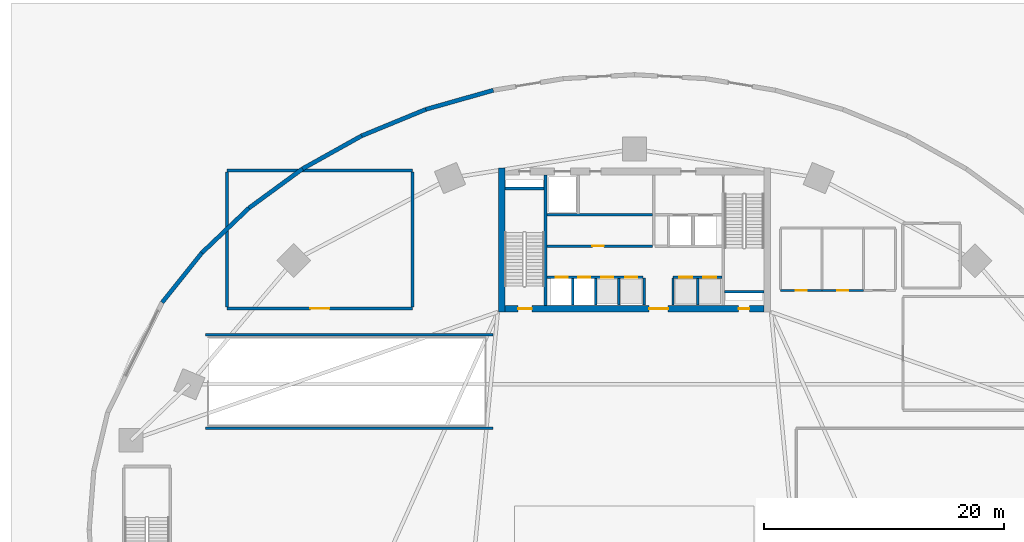
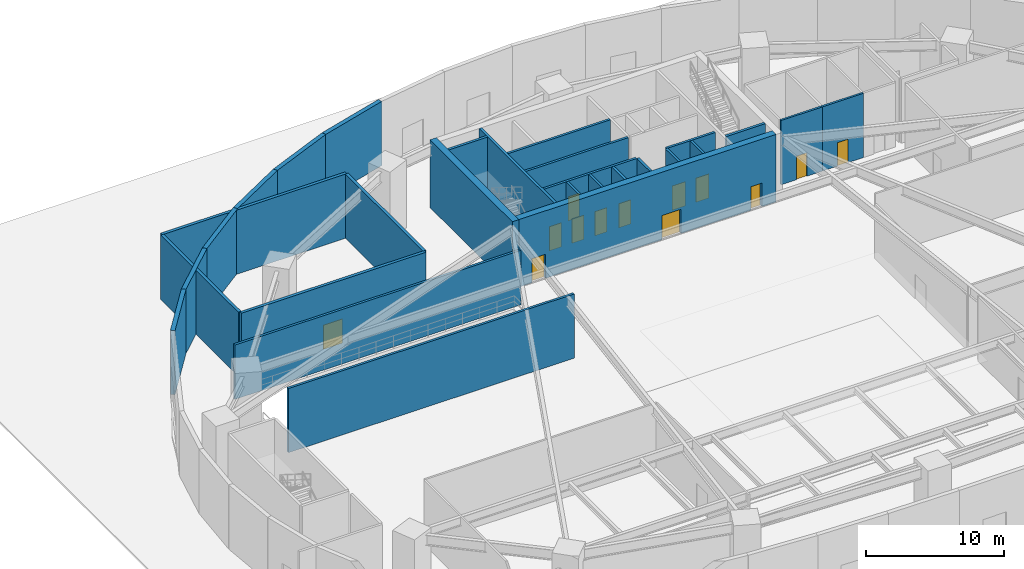
# One storey, part 4 of 14: 29 walls, 13 doors, 13 openings.
"""IFC4 building model written with IfcOpenShell, lengths in metres."""

from ifc_helpers import new_model, si_unit, direction, frame, frame_2d, origin, place, context, subcontext, project, spatial, rectangle, extrude, source, transform, mapped, material, layer, layer_set, type_object, type_shapes, element, fill, save


model = new_model("IFC4")

# Units and contexts
model_context = context("Model", 3, precision=1e-05, world=origin(), true_north=direction((0.0, 1.0)))
body_context = subcontext(model_context, "Body", "Model", "MODEL_VIEW")
ifc_project = project(units=[si_unit("LENGTHUNIT", "METRE"), si_unit("AREAUNIT", "SQUARE_METRE"), si_unit("VOLUMEUNIT", "CUBIC_METRE"), si_unit("PLANEANGLEUNIT", "RADIAN"), si_unit("MASSUNIT", "GRAM", prefix="KILO")], contexts=[model_context])

# Site, building, storey
site_placement = place(None, origin())
site = spatial("IfcSite", under=ifc_project, at=site_placement, CompositionType="ELEMENT")
building_placement = place(site_placement, origin())
building = spatial("IfcBuilding", under=site, at=building_placement, Name="Breltana Convention Tower", CompositionType="ELEMENT")
storey_placement = place(building_placement, origin())
storey = spatial("IfcBuildingStorey", under=building, at=storey_placement, Name="L00", CompositionType="ELEMENT", Elevation=0.0)

# Wall
ifc_material_1 = material(Name="Concrete C60/75", Category="concrete")
ifc_layer_1 = layer(ifc_material_1, 0.550048828125, Name="Concrete C60/75")
ifc_layer_set_1 = layer_set([ifc_layer_1], Name="Concrete C60/75")
wall_type_1 = type_object("IfcWallType", Name="SW-CORE-550", PredefinedType="SHEAR", material=ifc_layer_set_1)
shared_shape_1 = source(origin(), body_context, "Body", "SweptSolid", [
    extrude(rectangle(XDim=12.0, YDim=0.550048828125, at=frame_2d((6.0, 0.0))), origin(), (0.0, 0.0, 1.0), 6.0),
])
wall_1_placement = place(storey_placement, frame((36.925048828125, 60.199951171875, 0.0), z_axis=(0.0, 0.0, 1.0), x_axis=(0.0, 1.0, 0.0)))
element("IfcWall", 1, at=wall_1_placement, inside=storey, type_object=wall_type_1, Name="L00 West Core Shear Wall", PredefinedType="SHEAR", context=body_context, shape_type="MappedRepresentation", body=[
    mapped(shared_shape_1, transform((0.0, 0.0, 0.0), scale=1.0)),
])

# Wall, openings, doors
shared_shape_2 = source(origin(), body_context, "Body", "SweptSolid", [
    extrude(rectangle(XDim=21.60009765625, YDim=0.550048828125, at=frame_2d((10.800048828125, 0.0))), origin(), (0.0, 0.0, 1.0), 6.0),
])
wall_2_placement = place(storey_placement, frame((37.199951171875, 60.47509765625, 0.0), z_axis=(0.0, 0.0, 1.0), x_axis=(1.0, 0.0, 0.0)))
wall_2 = element("IfcWall", 2, at=wall_2_placement, inside=storey, type_object=wall_type_1, Name="L00 South Core Shear Wall", PredefinedType="SHEAR", context=body_context, shape_type="MappedRepresentation", body=[
    mapped(shared_shape_2, transform((0.0, 0.0, 0.0), scale=1.0)),
])
opening_1_placement = place(wall_2_placement, frame((1.10009765625, 0.0, 0.0)))
opening_1 = element("IfcOpeningElement", 3, at=opening_1_placement, cuts=wall_2, Name="Opening D-11", PredefinedType="OPENING", context=body_context, shape_type="SweptSolid", body=[
    extrude(rectangle(XDim=1.14990234375, YDim=2.14990234375, at=frame_2d((0.574951171875, 1.074951171875))), frame((0.0, 0.28515625, 0.0), z_axis=(0.0, -1.0, 0.0), x_axis=(1.0, 0.0, 0.0)), (0.0, 0.0, 1.0), 0.570068359375),
])
opening_2_placement = place(wall_2_placement, frame((19.5, 0.0, 0.0)))
opening_2 = element("IfcOpeningElement", 4, at=opening_2_placement, cuts=wall_2, Name="Opening D-18", PredefinedType="OPENING", context=body_context, shape_type="SweptSolid", body=[
    extrude(rectangle(XDim=0.89990234375, YDim=2.10009765625, at=frame_2d((0.449951171875, 1.050048828125))), frame((0.0, 0.28515625, 0.0), z_axis=(0.0, -1.0, 0.0), x_axis=(1.0, 0.0, 0.0)), (0.0, 0.0, 1.0), 0.570068359375),
])
opening_3_placement = place(wall_2_placement, frame((12.02001953125, 0.0, 0.0)))
opening_3 = element("IfcOpeningElement", 5, at=opening_3_placement, cuts=wall_2, Name="Opening D-02", PredefinedType="OPENING", context=body_context, shape_type="SweptSolid", body=[
    extrude(rectangle(XDim=1.60009765625, YDim=2.14990234375, at=frame_2d((0.800048828125, 1.074951171875))), frame((0.0, 0.28515625, 0.0), z_axis=(0.0, -1.0, 0.0), x_axis=(1.0, 0.0, 0.0)), (0.0, 0.0, 1.0), 0.570068359375),
])
ifc_material_2 = material(Name="Steel Stair Exit Door", Category="steel")
door_type_1 = type_object("IfcDoorType", Name="DR-FD120-1150", OperationType="NOTDEFINED", PredefinedType="DOOR", material=ifc_material_2)
shared_shape_3 = source(origin(), body_context, "Body", "SweptSolid", [
    extrude(rectangle(XDim=1.14990234375, YDim=2.14990234375, at=frame_2d((0.574951171875, 1.074951171875))), frame((0.0, 0.02490234375, 0.0), z_axis=(0.0, -1.0, 0.0), x_axis=(1.0, 0.0, 0.0)), (0.0, 0.0, 1.0), 0.050048828125),
])
type_shapes(door_type_1, [shared_shape_3])
door_1_placement = place(opening_1_placement, origin())
door_1 = element("IfcDoor", 6, at=door_1_placement, inside=storey, type_object=door_type_1, Name="L00 interior door D-L00-ST1", OperationType="SINGLE_SWING_RIGHT", OverallHeight=2.14990234375, OverallWidth=1.14990234375, PredefinedType="DOOR", context=body_context, shape_type="MappedRepresentation", body=[
    mapped(shared_shape_3, transform((0.0, 0.0, 0.0), scale=1.0)),
])
fill(opening_1, door_1)
ifc_material_3 = material(Name="Steel Riser Fire Door", Category="steel")
door_type_2 = type_object("IfcDoorType", Name="DR-FD60-900", OperationType="NOTDEFINED", PredefinedType="DOOR", material=ifc_material_3)
shared_shape_4 = source(origin(), body_context, "Body", "SweptSolid", [
    extrude(rectangle(XDim=0.89990234375, YDim=2.10009765625, at=frame_2d((0.449951171875, 1.050048828125))), frame((0.0, 0.02490234375, 0.0), z_axis=(0.0, -1.0, 0.0), x_axis=(1.0, 0.0, 0.0)), (0.0, 0.0, 1.0), 0.050048828125),
])
type_shapes(door_type_2, [shared_shape_4])
door_2_placement = place(opening_2_placement, origin())
door_2 = element("IfcDoor", 7, at=door_2_placement, inside=storey, type_object=door_type_2, Name="L00 Core Riser Access Door D-L00-RS2", OperationType="SINGLE_SWING_RIGHT", OverallHeight=2.10009765625, OverallWidth=0.89990234375, PredefinedType="DOOR", context=body_context, shape_type="MappedRepresentation", body=[
    mapped(shared_shape_4, transform((0.0, 0.0, 0.0), scale=1.0)),
])
fill(opening_2, door_2)
ifc_material_4 = material(Name="Steel Glazed Smoke-Control Door", Category="steel")
door_type_3 = type_object("IfcDoorType", Name="DR-DBL-FD90-1600", OperationType="DOUBLE_DOOR_SINGLE_SWING", PredefinedType="DOOR", material=ifc_material_4)
shared_shape_5 = source(origin(), body_context, "Body", "SweptSolid", [
    extrude(rectangle(XDim=1.60009765625, YDim=2.14990234375, at=frame_2d((0.800048828125, 1.074951171875))), frame((0.0, 0.02490234375, 0.0), z_axis=(0.0, -1.0, 0.0), x_axis=(1.0, 0.0, 0.0)), (0.0, 0.0, 1.0), 0.050048828125),
])
type_shapes(door_type_3, [shared_shape_5])
door_3_placement = place(opening_3_placement, origin())
door_3 = element("IfcDoor", 8, at=door_3_placement, inside=storey, type_object=door_type_3, Name="L00 interior door D-L00-LLB-S", OperationType="DOUBLE_DOOR_SINGLE_SWING", OverallHeight=2.14990234375, OverallWidth=1.60009765625, PredefinedType="DOOR", context=body_context, shape_type="MappedRepresentation", body=[
    mapped(shared_shape_5, transform((0.0, 0.0, 0.0), scale=1.0)),
])
fill(opening_3, door_3)

# Walls
ifc_material_5 = material(Name="Concrete C50/60", Category="concrete")
ifc_layer_2 = layer(ifc_material_5, 0.39990234375, Name="Concrete C50/60")
ifc_layer_set_2 = layer_set([ifc_layer_2], Name="Concrete C50/60")
wall_type_2 = type_object("IfcWallType", Name="SW-CORE-400", PredefinedType="SHEAR", material=ifc_layer_set_2)
shared_shape_6 = source(origin(), body_context, "Body", "SweptSolid", [
    extrude(rectangle(XDim=3.27001953125, YDim=0.219970703125, at=frame_2d((1.635009765625, 0.0))), origin(), (0.0, 0.0, 1.0), 6.0),
])
for number, where, z_axis, x_axis, name in (
    (9, (37.199951171875, 70.510009765625, 0.0), (0.0, 0.0, 1.0), (1.0, 0.0, 0.0), "L00 ST-1 Stairwell North Bearing Wall"),
    (10, (55.530029296875, 61.889892578125, 0.0), (0.0, 0.0, 1.0), (1.0, 0.0, 0.0), "L00 ST-2 Stairwell South Bearing Wall"),
):
    element("IfcWall", number, at=place(storey_placement, frame(where, z_axis=z_axis, x_axis=x_axis)), inside=storey, type_object=wall_type_2, Name=name, PredefinedType="SHEAR", context=body_context, shape_type="MappedRepresentation", body=[
        mapped(shared_shape_6, transform((0.0, 0.0, 0.0), scale=1.0)),
    ])
shared_shape_7 = source(origin(), body_context, "Body", "SweptSolid", [
    extrude(rectangle(XDim=10.89990234375, YDim=0.219970703125, at=frame_2d((5.449951171875, 0.0))), origin(), (0.0, 0.0, 1.0), 6.0),
])
wall_3_placement = place(storey_placement, frame((40.580078125, 60.75, 0.0), z_axis=(0.0, 0.0, 1.0), x_axis=(0.0, 1.0, 0.0)))
element("IfcWall", 11, at=wall_3_placement, inside=storey, type_object=wall_type_2, Name="L00 Core West Stair Spine Wall", PredefinedType="SHEAR", context=body_context, shape_type="MappedRepresentation", body=[
    mapped(shared_shape_7, transform((0.0, 0.0, 0.0), scale=1.0)),
])
ifc_material_6 = material(Name="Limestone Buff Insulated Wall", Category="masonry")
ifc_layer_3 = layer(ifc_material_6, 0.35009765625, Name="Limestone Buff Insulated Wall")
ifc_layer_set_3 = layer_set([ifc_layer_3], Name="Limestone Buff Insulated Wall")
wall_type_3 = type_object("IfcWallType", Name="WL-EXT-POD-350", PredefinedType="SOLIDWALL", material=ifc_layer_set_3)
shared_shape_8 = source(origin(), body_context, "Body", "SweptSolid", [
    extrude(rectangle(XDim=5.292724609375, YDim=0.35009765625, at=frame_2d((2.646484375, 0.0))), origin(), (0.0, 0.0, 1.0), 5.699951171875),
])
wall_4_placement = place(storey_placement, frame((8.595703125, 61.0, 0.0), z_axis=(0.0, 0.0, 1.0), x_axis=(0.624740048177, 0.780832806818, 0.0)))
element("IfcWall", 12, at=wall_4_placement, inside=storey, type_object=wall_type_3, Name="L00 limestone facade wall 20", PredefinedType="SOLIDWALL", context=body_context, shape_type="MappedRepresentation", body=[
    mapped(shared_shape_8, transform((0.0, 0.0, 0.0), scale=1.0)),
])
shared_shape_9 = source(origin(), body_context, "Body", "SweptSolid", [
    extrude(rectangle(XDim=5.419189453125, YDim=0.35009765625, at=frame_2d((2.70947265625, 0.0))), origin(), (0.0, 0.0, 1.0), 5.699951171875),
])
wall_5_placement = place(storey_placement, frame((11.90234375, 65.1328125, 0.0), z_axis=(0.0, 0.0, 1.0), x_axis=(0.724150787336, 0.689641673046, 0.0)))
element("IfcWall", 13, at=wall_5_placement, inside=storey, type_object=wall_type_3, Name="L00 limestone facade wall 19", PredefinedType="SOLIDWALL", context=body_context, shape_type="MappedRepresentation", body=[
    mapped(shared_shape_9, transform((0.0, 0.0, 0.0), scale=1.0)),
])
shared_shape_10 = source(origin(), body_context, "Body", "SweptSolid", [
    extrude(rectangle(XDim=5.546630859375, YDim=0.35009765625, at=frame_2d((2.7734375, 0.0))), origin(), (0.0, 0.0, 1.0), 5.699951171875),
])
wall_6_placement = place(storey_placement, frame((15.82666015625, 68.8701171875, 0.0), z_axis=(0.0, 0.0, 1.0), x_axis=(0.806767275837, 0.590869327887, 0.0)))
element("IfcWall", 14, at=wall_6_placement, inside=storey, type_object=wall_type_3, Name="L00 limestone facade wall 18", PredefinedType="SOLIDWALL", context=body_context, shape_type="MappedRepresentation", body=[
    mapped(shared_shape_10, transform((0.0, 0.0, 0.0), scale=1.0)),
])
shared_shape_11 = source(origin(), body_context, "Body", "SweptSolid", [
    extrude(rectangle(XDim=5.666748046875, YDim=0.35009765625, at=frame_2d((2.83349609375, 0.0))), origin(), (0.0, 0.0, 1.0), 5.699951171875),
])
wall_7_placement = place(storey_placement, frame((20.301513671875, 72.1474609375, 0.0), z_axis=(0.0, 0.0, 1.0), x_axis=(0.873233089296, 0.487302751642, 0.0)))
element("IfcWall", 15, at=wall_7_placement, inside=storey, type_object=wall_type_3, Name="L00 limestone facade wall 17", PredefinedType="SOLIDWALL", context=body_context, shape_type="MappedRepresentation", body=[
    mapped(shared_shape_11, transform((0.0, 0.0, 0.0), scale=1.0)),
])
shared_shape_12 = source(origin(), body_context, "Body", "SweptSolid", [
    extrude(rectangle(XDim=5.77294921875, YDim=0.35009765625, at=frame_2d((2.886474609375, 0.0))), origin(), (0.0, 0.0, 1.0), 5.699951171875),
])
wall_8_placement = place(storey_placement, frame((25.25, 74.908935546875, 0.0), z_axis=(0.0, 0.0, 1.0), x_axis=(0.924645688874, 0.380828504771, 0.0)))
element("IfcWall", 16, at=wall_8_placement, inside=storey, type_object=wall_type_3, Name="L00 limestone facade wall 16", PredefinedType="SOLIDWALL", context=body_context, shape_type="MappedRepresentation", body=[
    mapped(shared_shape_12, transform((0.0, 0.0, 0.0), scale=1.0)),
])
shared_shape_13 = source(origin(), body_context, "Body", "SweptSolid", [
    extrude(rectangle(XDim=5.85791015625, YDim=0.35009765625, at=frame_2d((2.928955078125, 0.0))), origin(), (0.0, 0.0, 1.0), 5.699951171875),
])
wall_9_placement = place(storey_placement, frame((30.587890625, 77.107421875, 0.0), z_axis=(0.0, 0.0, 1.0), x_axis=(0.962088093248, 0.272738887637, 0.0)))
element("IfcWall", 17, at=wall_9_placement, inside=storey, type_object=wall_type_3, Name="L00 limestone facade wall 15", PredefinedType="SOLIDWALL", context=body_context, shape_type="MappedRepresentation", body=[
    mapped(shared_shape_13, transform((0.0, 0.0, 0.0), scale=1.0)),
])
ifc_material_7 = material(Name="Autoclaved Aerated Concrete Block", Category="concrete")
ifc_layer_4 = layer(ifc_material_7, 0.199951171875, Name="Autoclaved Aerated Concrete Block")
ifc_layer_set_4 = layer_set([ifc_layer_4], Name="Autoclaved Aerated Concrete Block")
wall_type_4 = type_object("IfcWallType", Name="WL-SHAFT-200", PredefinedType="SOLIDWALL", material=ifc_layer_set_4)
shared_shape_14 = source(origin(), body_context, "Body", "SweptSolid", [
    extrude(rectangle(XDim=2.239990234375, YDim=0.199951171875, at=frame_2d((1.1201171875, 0.0))), origin(), (0.0, 0.0, 1.0), 5.699951171875),
])
for number, where, z_axis, x_axis, name in (
    (18, (48.820068359375, 60.780029296875, 0.0), (0.0, 0.0, 1.0), (0.0, 1.0, 0.0), "L00 interior partition W-L00-PORT-W"),
    (19, (51.219970703125, 60.780029296875, 0.0), (0.0, 0.0, 1.0), (0.0, 1.0, 0.0), "L00 interior partition W-L00-PORT-E"),
):
    element("IfcWall", number, at=place(storey_placement, frame(where, z_axis=z_axis, x_axis=x_axis)), inside=storey, type_object=wall_type_4, Name=name, PredefinedType="SOLIDWALL", context=body_context, shape_type="MappedRepresentation", body=[
        mapped(shared_shape_14, transform((0.0, 0.0, 0.0), scale=1.0)),
    ])
shared_shape_15 = source(origin(), body_context, "Body", "SweptSolid", [
    extrude(rectangle(XDim=8.800048828125, YDim=0.199951171875, at=frame_2d((4.39990234375, 0.0))), origin(), (0.0, 0.0, 1.0), 5.699951171875),
])
wall_10_placement = place(storey_placement, frame((40.699951171875, 68.300048828125, 0.0), z_axis=(0.0, 0.0, 1.0), x_axis=(1.0, 0.0, 0.0)))
element("IfcWall", 20, at=wall_10_placement, inside=storey, type_object=wall_type_4, Name="L00 interior partition W-L00-SV-S", PredefinedType="SOLIDWALL", context=body_context, shape_type="MappedRepresentation", body=[
    mapped(shared_shape_15, transform((0.0, 0.0, 0.0), scale=1.0)),
])

# Wall, opening, door
wall_11_placement = place(storey_placement, frame((40.699951171875, 65.699951171875, 0.0), z_axis=(0.0, 0.0, 1.0), x_axis=(1.0, 0.0, 0.0)))
wall_11 = element("IfcWall", 21, at=wall_11_placement, inside=storey, type_object=wall_type_4, Name="L00 interior partition W-L00-SH-M-FRONT", PredefinedType="SOLIDWALL", context=body_context, shape_type="MappedRepresentation", body=[
    mapped(shared_shape_15, transform((0.0, 0.0, 0.0), scale=1.0)),
])
opening_4_placement = place(wall_11_placement, frame((3.800048828125, 0.0, 0.0)))
opening_4 = element("IfcOpeningElement", 22, at=opening_4_placement, cuts=wall_11, Name="Opening D-14", PredefinedType="OPENING", context=body_context, shape_type="SweptSolid", body=[
    extrude(rectangle(XDim=0.949951171875, YDim=2.14990234375, at=frame_2d((0.47509765625, 1.074951171875))), frame((0.0, 0.10986328125, 0.0), z_axis=(0.0, -1.0, 0.0), x_axis=(1.0, 0.0, 0.0)), (0.0, 0.0, 1.0), 0.219970703125),
])
ifc_material_8 = material(Name="Timber Solid-Core Fire Door", Category="wood")
door_type_4 = type_object("IfcDoorType", Name="DR-FD60-950", OperationType="NOTDEFINED", PredefinedType="DOOR", material=ifc_material_8)
shared_shape_16 = source(origin(), body_context, "Body", "SweptSolid", [
    extrude(rectangle(XDim=0.949951171875, YDim=2.14990234375, at=frame_2d((0.47509765625, 1.074951171875))), frame((0.0, 0.02490234375, 0.0), z_axis=(0.0, -1.0, 0.0), x_axis=(1.0, 0.0, 0.0)), (0.0, 0.0, 1.0), 0.050048828125),
])
type_shapes(door_type_4, [shared_shape_16])
door_4_placement = place(opening_4_placement, origin())
door_4 = element("IfcDoor", 23, at=door_4_placement, inside=storey, type_object=door_type_4, Name="L00 interior door D-L00-LV7-B2A", OperationType="SINGLE_SWING_LEFT", OverallHeight=2.14990234375, OverallWidth=0.949951171875, PredefinedType="DOOR", context=body_context, shape_type="MappedRepresentation", body=[
    mapped(shared_shape_16, transform((0.0, 0.0, 0.0), scale=1.0)),
])
fill(opening_4, door_4)

# Wall, openings, doors
shared_shape_17 = source(origin(), body_context, "Body", "SweptSolid", [
    extrude(rectangle(XDim=8.02001953125, YDim=0.199951171875, at=frame_2d((4.010009765625, 0.0))), origin(), (0.0, 0.0, 1.0), 5.699951171875),
])
wall_12_placement = place(storey_placement, frame((40.699951171875, 63.10009765625, 0.0), z_axis=(0.0, 0.0, 1.0), x_axis=(1.0, 0.0, 0.0)))
wall_12 = element("IfcWall", 24, at=wall_12_placement, inside=storey, type_object=wall_type_4, Name="L00 interior partition W-L00-SH-S-FRONT", PredefinedType="SOLIDWALL", context=body_context, shape_type="MappedRepresentation", body=[
    mapped(shared_shape_17, transform((0.0, 0.0, 0.0), scale=1.0)),
])
opening_5_placement = place(wall_12_placement, frame((0.719970703125, 0.0, 0.0)))
opening_5 = element("IfcOpeningElement", 25, at=opening_5_placement, cuts=wall_12, Name="Opening LD-04", PredefinedType="OPENING", context=body_context, shape_type="SweptSolid", body=[
    extrude(rectangle(XDim=1.0, YDim=2.14990234375, at=frame_2d((0.5, 1.074951171875))), frame((0.0, 0.10986328125, 0.0), z_axis=(0.0, -1.0, 0.0), x_axis=(1.0, 0.0, 0.0)), (0.0, 0.0, 1.0), 0.219970703125),
])
opening_6_placement = place(wall_12_placement, frame((2.6201171875, 0.0, 0.0)))
opening_6 = element("IfcOpeningElement", 26, at=opening_6_placement, cuts=wall_12, Name="Opening LD-04", PredefinedType="OPENING", context=body_context, shape_type="SweptSolid", body=[
    extrude(rectangle(XDim=1.0, YDim=2.14990234375, at=frame_2d((0.5, 1.074951171875))), frame((0.0, 0.10986328125, 0.0), z_axis=(0.0, -1.0, 0.0), x_axis=(1.0, 0.0, 0.0)), (0.0, 0.0, 1.0), 0.219970703125),
])
opening_7_placement = place(wall_12_placement, frame((4.550048828125, 0.0, 0.0)))
opening_7 = element("IfcOpeningElement", 27, at=opening_7_placement, cuts=wall_12, Name="Opening LD-04", PredefinedType="OPENING", context=body_context, shape_type="SweptSolid", body=[
    extrude(rectangle(XDim=1.0, YDim=2.14990234375, at=frame_2d((0.5, 1.074951171875))), frame((0.0, 0.10986328125, 0.0), z_axis=(0.0, -1.0, 0.0), x_axis=(1.0, 0.0, 0.0)), (0.0, 0.0, 1.0), 0.219970703125),
])
opening_8_placement = place(wall_12_placement, frame((6.550048828125, 0.0, 0.0)))
opening_8 = element("IfcOpeningElement", 28, at=opening_8_placement, cuts=wall_12, Name="Opening LD-04", PredefinedType="OPENING", context=body_context, shape_type="SweptSolid", body=[
    extrude(rectangle(XDim=1.0, YDim=2.14990234375, at=frame_2d((0.5, 1.074951171875))), frame((0.0, 0.10986328125, 0.0), z_axis=(0.0, -1.0, 0.0), x_axis=(1.0, 0.0, 0.0)), (0.0, 0.0, 1.0), 0.219970703125),
])
ifc_material_9 = material(Name="Stainless Steel Brushed", Category="steel")
door_type_5 = type_object("IfcDoorType", Name="DR-LD-PAX-1000", OperationType="DOUBLE_DOOR_SLIDING", PredefinedType="DOOR", material=ifc_material_9)
shared_shape_18 = source(origin(), body_context, "Body", "SweptSolid", [
    extrude(rectangle(XDim=1.0, YDim=2.14990234375, at=frame_2d((0.5, 1.074951171875))), frame((0.0, 0.02490234375, 0.0), z_axis=(0.0, -1.0, 0.0), x_axis=(1.0, 0.0, 0.0)), (0.0, 0.0, 1.0), 0.050048828125),
])
type_shapes(door_type_5, [shared_shape_18])
door_5_placement = place(opening_5_placement, origin())
door_5 = element("IfcDoor", 29, at=door_5_placement, inside=storey, type_object=door_type_5, Name="L00 Lift Landing Door D-L00-LD-S1", OperationType="DOUBLE_DOOR_SLIDING", OverallHeight=2.14990234375, OverallWidth=1.0, PredefinedType="DOOR", context=body_context, shape_type="MappedRepresentation", body=[
    mapped(shared_shape_18, transform((0.0, 0.0, 0.0), scale=1.0)),
])
fill(opening_5, door_5)
door_6_placement = place(opening_6_placement, origin())
door_6 = element("IfcDoor", 30, at=door_6_placement, inside=storey, type_object=door_type_5, Name="L00 Lift Landing Door D-L00-LD-S2", OperationType="DOUBLE_DOOR_SLIDING", OverallHeight=2.14990234375, OverallWidth=1.0, PredefinedType="DOOR", context=body_context, shape_type="MappedRepresentation", body=[
    mapped(shared_shape_18, transform((0.0, 0.0, 0.0), scale=1.0)),
])
fill(opening_6, door_6)
door_7_placement = place(opening_7_placement, origin())
door_7 = element("IfcDoor", 31, at=door_7_placement, inside=storey, type_object=door_type_5, Name="L00 Lift Landing Door D-L00-LD-S3", OperationType="DOUBLE_DOOR_SLIDING", OverallHeight=2.14990234375, OverallWidth=1.0, PredefinedType="DOOR", context=body_context, shape_type="MappedRepresentation", body=[
    mapped(shared_shape_18, transform((0.0, 0.0, 0.0), scale=1.0)),
])
fill(opening_7, door_7)
door_8_placement = place(opening_8_placement, origin())
door_8 = element("IfcDoor", 32, at=door_8_placement, inside=storey, type_object=door_type_5, Name="L00 Lift Landing Door D-L00-LD-S4", OperationType="DOUBLE_DOOR_SLIDING", OverallHeight=2.14990234375, OverallWidth=1.0, PredefinedType="DOOR", context=body_context, shape_type="MappedRepresentation", body=[
    mapped(shared_shape_18, transform((0.0, 0.0, 0.0), scale=1.0)),
])
fill(opening_8, door_8)

shared_shape_19 = source(origin(), body_context, "Body", "SweptSolid", [
    extrude(rectangle(XDim=4.10009765625, YDim=0.199951171875, at=frame_2d((2.050048828125, 0.0))), origin(), (0.0, 0.0, 1.0), 5.699951171875),
])
wall_13_placement = place(storey_placement, frame((51.219970703125, 63.10009765625, 0.0), z_axis=(0.0, 0.0, 1.0), x_axis=(1.0, 0.0, 0.0)))
wall_13 = element("IfcWall", 33, at=wall_13_placement, inside=storey, type_object=wall_type_4, Name="L00 interior partition W-L00-SH-X-FRONT", PredefinedType="SOLIDWALL", context=body_context, shape_type="MappedRepresentation", body=[
    mapped(shared_shape_19, transform((0.0, 0.0, 0.0), scale=1.0)),
])
opening_9_placement = place(wall_13_placement, frame((0.510009765625, 0.0, 0.0)))
opening_9 = element("IfcOpeningElement", 34, at=opening_9_placement, cuts=wall_13, Name="Opening LD-02", PredefinedType="OPENING", context=body_context, shape_type="SweptSolid", body=[
    extrude(rectangle(XDim=1.10009765625, YDim=2.14990234375, at=frame_2d((0.550048828125, 1.074951171875))), frame((0.0, 0.10986328125, 0.0), z_axis=(0.0, -1.0, 0.0), x_axis=(1.0, 0.0, 0.0)), (0.0, 0.0, 1.0), 0.219970703125),
])
opening_10_placement = place(wall_13_placement, frame((2.510009765625, 0.0, 0.0)))
opening_10 = element("IfcOpeningElement", 35, at=opening_10_placement, cuts=wall_13, Name="Opening LD-02", PredefinedType="OPENING", context=body_context, shape_type="SweptSolid", body=[
    extrude(rectangle(XDim=1.10009765625, YDim=2.14990234375, at=frame_2d((0.550048828125, 1.074951171875))), frame((0.0, 0.10986328125, 0.0), z_axis=(0.0, -1.0, 0.0), x_axis=(1.0, 0.0, 0.0)), (0.0, 0.0, 1.0), 0.219970703125),
])
ifc_material_10 = material(Name="Stainless Steel Bronze", Category="steel")
door_type_6 = type_object("IfcDoorType", Name="DR-LD-EXP-1100", OperationType="DOUBLE_DOOR_SLIDING", PredefinedType="DOOR", material=ifc_material_10)
shared_shape_20 = source(origin(), body_context, "Body", "SweptSolid", [
    extrude(rectangle(XDim=1.10009765625, YDim=2.14990234375, at=frame_2d((0.550048828125, 1.074951171875))), frame((0.0, 0.02490234375, 0.0), z_axis=(0.0, -1.0, 0.0), x_axis=(1.0, 0.0, 0.0)), (0.0, 0.0, 1.0), 0.050048828125),
])
type_shapes(door_type_6, [shared_shape_20])
door_9_placement = place(opening_9_placement, origin())
door_9 = element("IfcDoor", 36, at=door_9_placement, inside=storey, type_object=door_type_6, Name="L00 Lift Landing Door D-L00-LD-X1", OperationType="DOUBLE_DOOR_SLIDING", OverallHeight=2.14990234375, OverallWidth=1.10009765625, PredefinedType="DOOR", context=body_context, shape_type="MappedRepresentation", body=[
    mapped(shared_shape_20, transform((0.0, 0.0, 0.0), scale=1.0)),
])
fill(opening_9, door_9)
door_10_placement = place(opening_10_placement, origin())
door_10 = element("IfcDoor", 37, at=door_10_placement, inside=storey, type_object=door_type_6, Name="L00 Lift Landing Door D-L00-LD-X2", OperationType="DOUBLE_DOOR_SLIDING", OverallHeight=2.14990234375, OverallWidth=1.10009765625, PredefinedType="DOOR", context=body_context, shape_type="MappedRepresentation", body=[
    mapped(shared_shape_20, transform((0.0, 0.0, 0.0), scale=1.0)),
])
fill(opening_10, door_10)

# Walls
shared_shape_21 = source(origin(), body_context, "Body", "SweptSolid", [
    extrude(rectangle(XDim=2.199951171875, YDim=0.199951171875, at=frame_2d((1.10009765625, 0.0))), origin(), (0.0, 0.0, 1.0), 5.699951171875),
])
for number, where, z_axis, x_axis, name in (
    (38, (42.8701171875, 60.800048828125, 0.0), (0.0, 0.0, 1.0), (0.0, 1.0, 0.0), "L00 interior partition W-L00-SH-S-DIV1"),
    (39, (44.77001953125, 60.800048828125, 0.0), (0.0, 0.0, 1.0), (0.0, 1.0, 0.0), "L00 interior partition W-L00-SH-S-DIV2"),
    (40, (46.699951171875, 60.800048828125, 0.0), (0.0, 0.0, 1.0), (0.0, 1.0, 0.0), "L00 interior partition W-L00-SH-S-DIV3"),
    (41, (53.280029296875, 60.800048828125, 0.0), (0.0, 0.0, 1.0), (0.0, 1.0, 0.0), "L00 interior partition W-L00-SH-X-DIV"),
):
    element("IfcWall", number, at=place(storey_placement, frame(where, z_axis=z_axis, x_axis=x_axis)), inside=storey, type_object=wall_type_4, Name=name, PredefinedType="SOLIDWALL", context=body_context, shape_type="MappedRepresentation", body=[
        mapped(shared_shape_21, transform((0.0, 0.0, 0.0), scale=1.0)),
    ])

# Wall, opening, door
ifc_material_11 = material(Name="Cement Board Wet-Area Partition")
ifc_layer_5 = layer(ifc_material_11, 0.175048828125, Name="Cement Board Wet-Area Partition")
ifc_layer_set_5 = layer_set([ifc_layer_5], Name="Cement Board Wet-Area Partition")
wall_type_5 = type_object("IfcWallType", Name="WL-WET-175", PredefinedType="PARTITIONING", material=ifc_layer_set_5)
shared_shape_22 = source(origin(), body_context, "Body", "SweptSolid", [
    extrude(rectangle(XDim=3.4560546875, YDim=0.175048828125, at=frame_2d((1.72802734375, 0.0))), origin(), (0.0, 0.0, 1.0), 5.699951171875),
])
wall_14_placement = place(storey_placement, frame((60.199951171875, 62.0, 0.0), z_axis=(0.0, 0.0, 1.0), x_axis=(1.0, 0.0, 0.0)))
wall_14 = element("IfcWall", 42, at=wall_14_placement, inside=storey, type_object=wall_type_5, Name="L00 interior partition W-L00-WCM-S", PredefinedType="PARTITIONING", context=body_context, shape_type="MappedRepresentation", body=[
    mapped(shared_shape_22, transform((0.0, 0.0, 0.0), scale=1.0)),
])
opening_11_placement = place(wall_14_placement, frame((1.278076171875, 0.0, 0.0)))
opening_11 = element("IfcOpeningElement", 43, at=opening_11_placement, cuts=wall_14, Name="Opening D-19", PredefinedType="OPENING", context=body_context, shape_type="SweptSolid", body=[
    extrude(rectangle(XDim=0.89990234375, YDim=2.080078125, at=frame_2d((0.449951171875, 1.0400390625))), frame((0.0, 0.09765625, 0.0), z_axis=(0.0, -1.0, 0.0), x_axis=(1.0, 0.0, 0.0)), (0.0, 0.0, 1.0), 0.195068359375),
])
ifc_material_12 = material(Name="Timber Moisture-Resistant Door", Category="wood")
door_type_7 = type_object("IfcDoorType", Name="DR-WC-900", OperationType="NOTDEFINED", PredefinedType="DOOR", material=ifc_material_12)
shared_shape_23 = source(origin(), body_context, "Body", "SweptSolid", [
    extrude(rectangle(XDim=0.89990234375, YDim=2.080078125, at=frame_2d((0.449951171875, 1.0400390625))), frame((0.0, 0.02490234375, 0.0), z_axis=(0.0, -1.0, 0.0), x_axis=(1.0, 0.0, 0.0)), (0.0, 0.0, 1.0), 0.050048828125),
])
type_shapes(door_type_7, [shared_shape_23])
door_11_placement = place(opening_11_placement, origin())
door_11 = element("IfcDoor", 44, at=door_11_placement, inside=storey, type_object=door_type_7, Name="L00 interior door D-L00-WCM", OperationType="SINGLE_SWING_RIGHT", OverallHeight=2.080078125, OverallWidth=0.89990234375, PredefinedType="DOOR", context=body_context, shape_type="MappedRepresentation", body=[
    mapped(shared_shape_23, transform((0.0, 0.0, 0.0), scale=1.0)),
])
fill(opening_11, door_11)

wall_15_placement = place(storey_placement, frame((63.656005859375, 62.0, 0.0), z_axis=(0.0, 0.0, 1.0), x_axis=(1.0, 0.0, 0.0)))
wall_15 = element("IfcWall", 45, at=wall_15_placement, inside=storey, type_object=wall_type_5, Name="L00 interior partition W-L00-WCF-S", PredefinedType="PARTITIONING", context=body_context, shape_type="MappedRepresentation", body=[
    mapped(shared_shape_22, transform((0.0, 0.0, 0.0), scale=1.0)),
])
opening_12_placement = place(wall_15_placement, frame((1.278076171875, 0.0, 0.0)))
opening_12 = element("IfcOpeningElement", 46, at=opening_12_placement, cuts=wall_15, Name="Opening D-19", PredefinedType="OPENING", context=body_context, shape_type="SweptSolid", body=[
    extrude(rectangle(XDim=0.89990234375, YDim=2.080078125, at=frame_2d((0.449951171875, 1.0400390625))), frame((0.0, 0.09765625, 0.0), z_axis=(0.0, -1.0, 0.0), x_axis=(1.0, 0.0, 0.0)), (0.0, 0.0, 1.0), 0.195068359375),
])
door_12_placement = place(opening_12_placement, origin())
door_12 = element("IfcDoor", 47, at=door_12_placement, inside=storey, type_object=door_type_7, Name="L00 interior door D-L00-WCF", OperationType="SINGLE_SWING_LEFT", OverallHeight=2.080078125, OverallWidth=0.89990234375, PredefinedType="DOOR", context=body_context, shape_type="MappedRepresentation", body=[
    mapped(shared_shape_23, transform((0.0, 0.0, 0.0), scale=1.0)),
])
fill(opening_12, door_12)

ifc_material_13 = material(Name="Gypsum Acoustic Double Stud Wall")
ifc_layer_6 = layer(ifc_material_13, 0.25, Name="Gypsum Acoustic Double Stud Wall")
ifc_layer_set_6 = layer_set([ifc_layer_6], Name="Gypsum Acoustic Double Stud Wall")
wall_type_6 = type_object("IfcWallType", Name="WL-ACOUSTIC-250", PredefinedType="PARTITIONING", material=ifc_layer_set_6)
shared_shape_24 = source(origin(), body_context, "Body", "SweptSolid", [
    extrude(rectangle(XDim=15.5, YDim=0.25, at=frame_2d((7.75, 0.0))), origin(), (0.0, 0.0, 1.0), 5.699951171875),
])
wall_16_placement = place(storey_placement, frame((14.0, 60.5, 0.0), z_axis=(0.0, 0.0, 1.0), x_axis=(1.0, 0.0, 0.0)))
wall_16 = element("IfcWall", 48, at=wall_16_placement, inside=storey, type_object=wall_type_6, Name="L00 interior partition W-L00-LDK-S", PredefinedType="PARTITIONING", context=body_context, shape_type="MappedRepresentation", body=[
    mapped(shared_shape_24, transform((0.0, 0.0, 0.0), scale=1.0)),
])
opening_13_placement = place(wall_16_placement, frame((6.949951171875, 0.0, 0.0)))
opening_13 = element("IfcOpeningElement", 49, at=opening_13_placement, cuts=wall_16, Name="Opening D-04", PredefinedType="OPENING", context=body_context, shape_type="SweptSolid", body=[
    extrude(rectangle(XDim=1.60009765625, YDim=2.14990234375, at=frame_2d((0.800048828125, 1.074951171875))), frame((0.0, 0.135009765625, 0.0), z_axis=(0.0, -1.0, 0.0), x_axis=(1.0, 0.0, 0.0)), (0.0, 0.0, 1.0), 0.27001953125),
])
ifc_material_14 = material(Name="Steel Heavy-Duty Plant Door", Category="steel")
door_type_8 = type_object("IfcDoorType", Name="DR-PLT-1600", OperationType="DOUBLE_DOOR_SINGLE_SWING", PredefinedType="DOOR", material=ifc_material_14)
shared_shape_25 = source(origin(), body_context, "Body", "SweptSolid", [
    extrude(rectangle(XDim=1.60009765625, YDim=2.14990234375, at=frame_2d((0.800048828125, 1.074951171875))), frame((0.0, 0.02490234375, 0.0), z_axis=(0.0, -1.0, 0.0), x_axis=(1.0, 0.0, 0.0)), (0.0, 0.0, 1.0), 0.050048828125),
])
type_shapes(door_type_8, [shared_shape_25])
door_13_placement = place(opening_13_placement, origin())
door_13 = element("IfcDoor", 50, at=door_13_placement, inside=storey, type_object=door_type_8, Name="L00 interior door D-L00-LDK", OperationType="SINGLE_SWING_RIGHT", OverallHeight=2.14990234375, OverallWidth=1.60009765625, PredefinedType="DOOR", context=body_context, shape_type="MappedRepresentation", body=[
    mapped(shared_shape_25, transform((0.0, 0.0, 0.0), scale=1.0)),
])
fill(opening_13, door_13)

# Walls
wall_17_placement = place(storey_placement, frame((14.0, 72.0, 0.0), z_axis=(0.0, 0.0, 1.0), x_axis=(1.0, 0.0, 0.0)))
element("IfcWall", 51, at=wall_17_placement, inside=storey, type_object=wall_type_6, Name="L00 interior partition W-L00-LDK-N", PredefinedType="PARTITIONING", context=body_context, shape_type="MappedRepresentation", body=[
    mapped(shared_shape_24, transform((0.0, 0.0, 0.0), scale=1.0)),
])
shared_shape_26 = source(origin(), body_context, "Body", "SweptSolid", [
    extrude(rectangle(XDim=11.27490234375, YDim=0.25, at=frame_2d((5.637451171875, 0.0))), origin(), (0.0, 0.0, 1.0), 5.699951171875),
])
for number, where, z_axis, x_axis, name in (
    (52, (14.0, 60.612548828125, 0.0), (0.0, 0.0, 1.0), (0.0, 1.0, 0.0), "L00 interior partition W-L00-LDK-W"),
    (53, (29.5, 60.612548828125, 0.0), (0.0, 0.0, 1.0), (0.0, 1.0, 0.0), "L00 interior partition W-L00-LDK-E"),
):
    element("IfcWall", number, at=place(storey_placement, frame(where, z_axis=z_axis, x_axis=x_axis)), inside=storey, type_object=wall_type_6, Name=name, PredefinedType="PARTITIONING", context=body_context, shape_type="MappedRepresentation", body=[
        mapped(shared_shape_26, transform((0.0, 0.0, 0.0), scale=1.0)),
    ])
shared_shape_27 = source(origin(), body_context, "Body", "SweptSolid", [
    extrude(rectangle(XDim=24.0, YDim=0.199951171875, at=frame_2d((12.0, 0.0))), origin(), (0.0, 0.0, 1.0), 5.699951171875),
])
wall_18_placement = place(storey_placement, frame((12.199951171875, 50.5, 0.0), z_axis=(0.0, 0.0, 1.0), x_axis=(1.0, 0.0, 0.0)))
element("IfcWall", 54, at=wall_18_placement, inside=storey, type_object=wall_type_4, Name="L00 interior partition W-L00-RMP-S", PredefinedType="SOLIDWALL", context=body_context, shape_type="MappedRepresentation", body=[
    mapped(shared_shape_27, transform((0.0, 0.0, 0.0), scale=1.0)),
])
shared_shape_28 = source(origin(), body_context, "Body", "SweptSolid", [
    extrude(rectangle(XDim=24.0, YDim=0.199951171875, at=frame_2d((12.0, 0.0))), origin(), (0.0, 0.0, 1.0), 4.833984375),
])
wall_19_placement = place(storey_placement, frame((12.199951171875, 58.300048828125, 0.0), z_axis=(0.0, 0.0, 1.0), x_axis=(1.0, 0.0, 0.0)))
element("IfcWall", 55, at=wall_19_placement, inside=storey, type_object=wall_type_4, Name="L00 interior partition W-L00-RMP-N", PredefinedType="SOLIDWALL", context=body_context, shape_type="MappedRepresentation", body=[
    mapped(shared_shape_28, transform((0.0, 0.0, 0.0), scale=1.0)),
])

save(model, "model.ifc")
